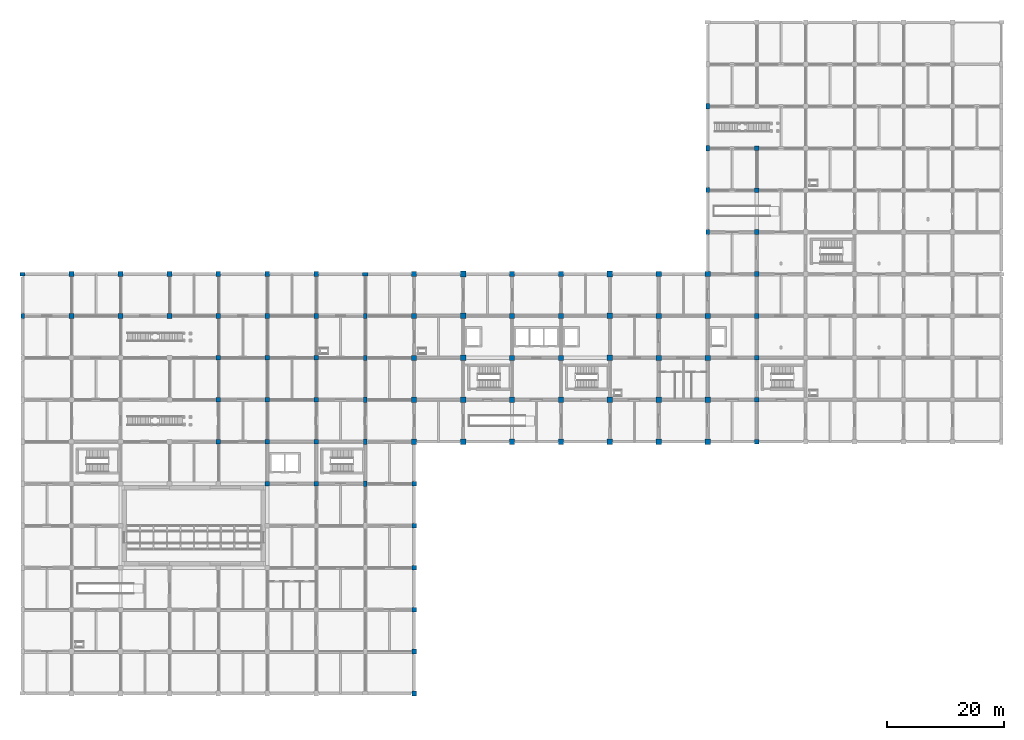
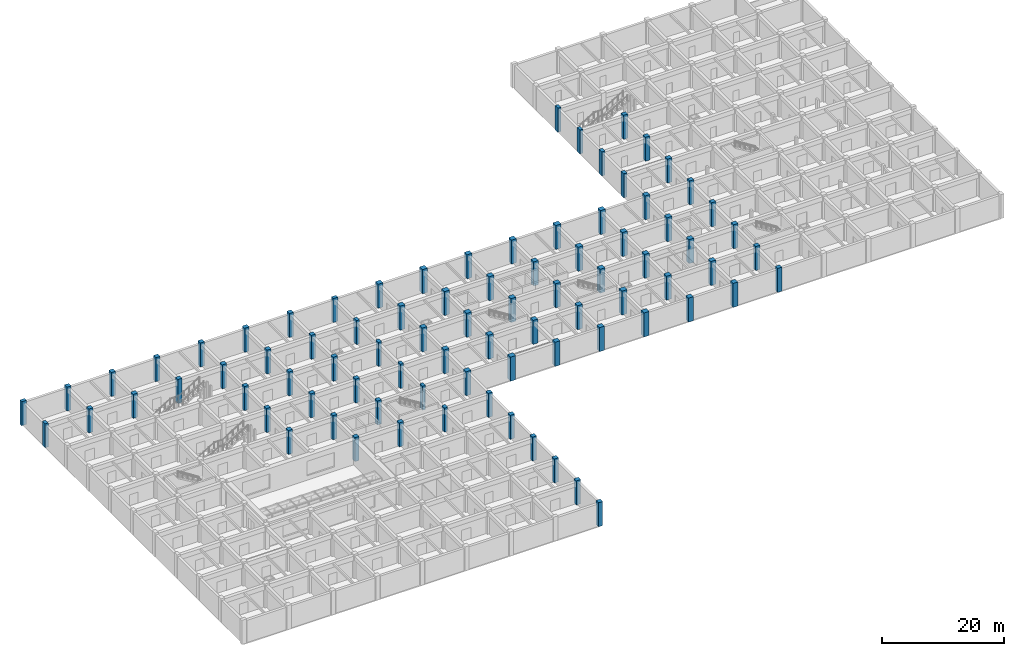
# One storey, part 3 of 32: 84 columns.
"""IFC4 building model written with IfcOpenShell, lengths in metres."""

from ifc_helpers import new_model, si_unit, derived_unit, direction, frame, origin, origin_2d, place, context, subcontext, project, spatial, rectangle, extrude, material, material_profile, profile_set, type_object, element, save


model = new_model("IFC4")

# Units and contexts
model_context = context("Model", 3, precision=1e-05, world=origin(), true_north=direction((0.0, 1.0)))
body_context = subcontext(model_context, "Body", "Model", "MODEL_VIEW")
ifc_project = project(units=[si_unit("LENGTHUNIT", "METRE"), si_unit("AREAUNIT", "SQUARE_METRE"), si_unit("VOLUMEUNIT", "CUBIC_METRE"), si_unit("PLANEANGLEUNIT", "RADIAN"), si_unit("MASSUNIT", "GRAM", prefix="KILO"), derived_unit("THERMALTRANSMITTANCEUNIT", [(si_unit("MASSUNIT", "GRAM", prefix="KILO"), 1), (si_unit("TIMEUNIT", "SECOND"), -3), (si_unit("THERMODYNAMICTEMPERATUREUNIT", "KELVIN"), -1)])], contexts=[model_context])

# Site, building, storey
site_placement = place(None, origin())
site = spatial("IfcSite", under=ifc_project, at=site_placement, CompositionType="ELEMENT")
building_placement = place(site_placement, origin())
building = spatial("IfcBuilding", under=site, at=building_placement, Name="Veldstrom Oceanarium and Marine Research Institute", CompositionType="ELEMENT")
storey_placement = place(building_placement, frame((0.0, 0.0, -4.800048828125)))
storey = spatial("IfcBuildingStorey", under=building, at=storey_placement, Name="B01", CompositionType="ELEMENT", Elevation=-4.800048828125)

# Columns
ifc_material_1 = material(Name="Concrete C50/60", Category="concrete")
ifc_material_profile_1 = material_profile(ifc_material_1, rectangle(XDim=0.949951171875, YDim=0.949951171875, at=origin_2d()), Name="RC-COL-950x950")
ifc_profile_set_1 = profile_set([ifc_material_profile_1], Name="Concrete C50/60")
column_type_1 = type_object("IfcColumnType", Name="STR-COL-C01", PredefinedType="COLUMN", material=ifc_profile_set_1)
for number, where, z_axis, x_axis, name in (
    (1, (75.60009765625, 43.199951171875, 0.0), (0.0, 0.0, 1.0), (1.0, 0.0, 0.0), "Column C01 10/G B01"),
    (2, (75.60009765625, 50.39990234375, 0.0), (0.0, 0.0, 1.0), (1.0, 0.0, 0.0), "Column C01 10/H B01"),
    (3, (75.60009765625, 57.60009765625, 0.0), (0.0, 0.0, 1.0), (1.0, 0.0, 0.0), "Column C01 10/J B01"),
    (4, (75.60009765625, 64.800048828125, 0.0), (0.0, 0.0, 1.0), (1.0, 0.0, 0.0), "Column C01 10/K B01"),
    (5, (75.60009765625, 72.0, 0.0), (0.0, 0.0, 1.0), (1.0, 0.0, 0.0), "Column C01 10/L B01"),
    (6, (100.800048828125, 43.199951171875, 0.0), (0.0, 0.0, 1.0), (1.0, 0.0, 0.0), "Column C01 13/G B01"),
    (7, (100.800048828125, 50.39990234375, 0.0), (0.0, 0.0, 1.0), (1.0, 0.0, 0.0), "Column C01 13/H B01"),
    (8, (100.800048828125, 57.60009765625, 0.0), (0.0, 0.0, 1.0), (1.0, 0.0, 0.0), "Column C01 13/J B01"),
    (9, (100.800048828125, 64.800048828125, 0.0), (0.0, 0.0, 1.0), (1.0, 0.0, 0.0), "Column C01 13/K B01"),
    (10, (100.800048828125, 72.0, 0.0), (0.0, 0.0, 1.0), (1.0, 0.0, 0.0), "Column C01 13/L B01"),
):
    element("IfcColumn", number, at=place(storey_placement, frame(where, z_axis=z_axis, x_axis=x_axis)), inside=storey, type_object=column_type_1, Name=name, PredefinedType="COLUMN", context=body_context, shape_type="SweptSolid", body=[
        extrude(rectangle(XDim=0.949951171875, YDim=0.949951171875, at=origin_2d()), origin(), (0.0, 0.0, 1.0), 4.800048828125),
    ])
ifc_material_2 = material(Name="Concrete C50/60", Category="concrete")
ifc_material_profile_2 = material_profile(ifc_material_2, rectangle(XDim=0.89990234375, YDim=0.89990234375, at=origin_2d()), Name="RC-COL-900x900")
ifc_profile_set_2 = profile_set([ifc_material_profile_2], Name="Concrete C50/60")
column_type_2 = type_object("IfcColumnType", Name="STR-COL-C02", PredefinedType="COLUMN", material=ifc_profile_set_2)
for number, where, z_axis, x_axis, name in (
    (11, (67.199951171875, 43.199951171875, 0.0), (0.0, 0.0, 1.0), (1.0, 0.0, 0.0), "Column C02 9/G B01"),
    (12, (67.199951171875, 50.39990234375, 0.0), (0.0, 0.0, 1.0), (1.0, 0.0, 0.0), "Column C02 9/H B01"),
    (13, (67.199951171875, 57.60009765625, 0.0), (0.0, 0.0, 1.0), (1.0, 0.0, 0.0), "Column C02 9/J B01"),
    (14, (67.199951171875, 64.800048828125, 0.0), (0.0, 0.0, 1.0), (1.0, 0.0, 0.0), "Column C02 9/K B01"),
    (15, (67.199951171875, 72.0, 0.0), (0.0, 0.0, 1.0), (1.0, 0.0, 0.0), "Column C02 9/L B01"),
    (16, (84.0, 43.199951171875, 0.0), (0.0, 0.0, 1.0), (1.0, 0.0, 0.0), "Column C02 11/G B01"),
    (17, (84.0, 50.39990234375, 0.0), (0.0, 0.0, 1.0), (1.0, 0.0, 0.0), "Column C02 11/H B01"),
    (18, (84.0, 57.60009765625, 0.0), (0.0, 0.0, 1.0), (1.0, 0.0, 0.0), "Column C02 11/J B01"),
    (19, (84.0, 64.800048828125, 0.0), (0.0, 0.0, 1.0), (1.0, 0.0, 0.0), "Column C02 11/K B01"),
    (20, (84.0, 72.0, 0.0), (0.0, 0.0, 1.0), (1.0, 0.0, 0.0), "Column C02 11/L B01"),
    (21, (92.39990234375, 43.199951171875, 0.0), (0.0, 0.0, 1.0), (1.0, 0.0, 0.0), "Column C02 12/G B01"),
    (22, (92.39990234375, 50.39990234375, 0.0), (0.0, 0.0, 1.0), (1.0, 0.0, 0.0), "Column C02 12/H B01"),
    (23, (92.39990234375, 57.60009765625, 0.0), (0.0, 0.0, 1.0), (1.0, 0.0, 0.0), "Column C02 12/J B01"),
    (24, (92.39990234375, 64.800048828125, 0.0), (0.0, 0.0, 1.0), (1.0, 0.0, 0.0), "Column C02 12/K B01"),
    (25, (92.39990234375, 72.0, 0.0), (0.0, 0.0, 1.0), (1.0, 0.0, 0.0), "Column C02 12/L B01"),
    (26, (109.199951171875, 43.199951171875, 0.0), (0.0, 0.0, 1.0), (1.0, 0.0, 0.0), "Column C02 14/G B01"),
    (27, (109.199951171875, 50.39990234375, 0.0), (0.0, 0.0, 1.0), (1.0, 0.0, 0.0), "Column C02 14/H B01"),
    (28, (109.199951171875, 57.60009765625, 0.0), (0.0, 0.0, 1.0), (1.0, 0.0, 0.0), "Column C02 14/J B01"),
    (29, (109.199951171875, 64.800048828125, 0.0), (0.0, 0.0, 1.0), (1.0, 0.0, 0.0), "Column C02 14/K B01"),
    (30, (109.199951171875, 72.0, 0.0), (0.0, 0.0, 1.0), (1.0, 0.0, 0.0), "Column C02 14/L B01"),
    (31, (117.60009765625, 43.199951171875, 0.0), (0.0, 0.0, 1.0), (1.0, 0.0, 0.0), "Column C02 15/G B01"),
    (32, (117.60009765625, 50.39990234375, 0.0), (0.0, 0.0, 1.0), (1.0, 0.0, 0.0), "Column C02 15/H B01"),
    (33, (117.60009765625, 57.60009765625, 0.0), (0.0, 0.0, 1.0), (1.0, 0.0, 0.0), "Column C02 15/J B01"),
    (34, (117.60009765625, 64.800048828125, 0.0), (0.0, 0.0, 1.0), (1.0, 0.0, 0.0), "Column C02 15/K B01"),
    (35, (117.60009765625, 72.0, 0.0), (0.0, 0.0, 1.0), (1.0, 0.0, 0.0), "Column C02 15/L B01"),
):
    element("IfcColumn", number, at=place(storey_placement, frame(where, z_axis=z_axis, x_axis=x_axis)), inside=storey, type_object=column_type_2, Name=name, PredefinedType="COLUMN", context=body_context, shape_type="SweptSolid", body=[
        extrude(rectangle(XDim=0.89990234375, YDim=0.89990234375, at=origin_2d()), origin(), (0.0, 0.0, 1.0), 4.800048828125),
    ])
ifc_material_3 = material(Name="Concrete C50/60", Category="concrete")
ifc_material_profile_3 = material_profile(ifc_material_3, rectangle(XDim=0.800048828125, YDim=0.800048828125, at=origin_2d()), Name="RC-COL-800x800")
ifc_profile_set_3 = profile_set([ifc_material_profile_3], Name="Concrete C50/60")
column_type_3 = type_object("IfcColumnType", Name="STR-COL-C04", PredefinedType="COLUMN", material=ifc_profile_set_3)
for number, where, z_axis, x_axis, name in (
    (36, (8.39990234375, 64.800048828125, 0.0), (0.0, 0.0, 1.0), (1.0, 0.0, 0.0), "Column C04 2/K B01"),
    (37, (8.39990234375, 72.0, 0.0), (0.0, 0.0, 1.0), (1.0, 0.0, 0.0), "Column C04 2/L B01"),
    (38, (16.800048828125, 64.800048828125, 0.0), (0.0, 0.0, 1.0), (1.0, 0.0, 0.0), "Column C04 3/K B01"),
    (39, (16.800048828125, 72.0, 0.0), (0.0, 0.0, 1.0), (1.0, 0.0, 0.0), "Column C04 3/L B01"),
    (40, (25.199951171875, 64.800048828125, 0.0), (0.0, 0.0, 1.0), (1.0, 0.0, 0.0), "Column C04 4/K B01"),
    (41, (25.199951171875, 72.0, 0.0), (0.0, 0.0, 1.0), (1.0, 0.0, 0.0), "Column C04 4/L B01"),
    (42, (33.60009765625, 43.199951171875, 0.0), (0.0, 0.0, 1.0), (1.0, 0.0, 0.0), "Column C04 5/G B01"),
    (43, (33.60009765625, 50.39990234375, 0.0), (0.0, 0.0, 1.0), (1.0, 0.0, 0.0), "Column C04 5/H B01"),
    (44, (33.60009765625, 57.60009765625, 0.0), (0.0, 0.0, 1.0), (1.0, 0.0, 0.0), "Column C04 5/J B01"),
    (45, (33.60009765625, 64.800048828125, 0.0), (0.0, 0.0, 1.0), (1.0, 0.0, 0.0), "Column C04 5/K B01"),
    (46, (33.60009765625, 72.0, 0.0), (0.0, 0.0, 1.0), (1.0, 0.0, 0.0), "Column C04 5/L B01"),
    (47, (42.0, 36.0, 0.0), (0.0, 0.0, 1.0), (1.0, 0.0, 0.0), "Column C04 6/F B01"),
    (48, (42.0, 43.199951171875, 0.0), (0.0, 0.0, 1.0), (1.0, 0.0, 0.0), "Column C04 6/G B01"),
    (49, (42.0, 50.39990234375, 0.0), (0.0, 0.0, 1.0), (1.0, 0.0, 0.0), "Column C04 6/H B01"),
    (50, (42.0, 57.60009765625, 0.0), (0.0, 0.0, 1.0), (1.0, 0.0, 0.0), "Column C04 6/J B01"),
    (51, (42.0, 64.800048828125, 0.0), (0.0, 0.0, 1.0), (1.0, 0.0, 0.0), "Column C04 6/K B01"),
    (52, (42.0, 72.0, 0.0), (0.0, 0.0, 1.0), (1.0, 0.0, 0.0), "Column C04 6/L B01"),
    (53, (50.39990234375, 36.0, 0.0), (0.0, 0.0, 1.0), (1.0, 0.0, 0.0), "Column C04 7/F B01"),
    (54, (50.39990234375, 43.199951171875, 0.0), (0.0, 0.0, 1.0), (1.0, 0.0, 0.0), "Column C04 7/G B01"),
    (55, (50.39990234375, 50.39990234375, 0.0), (0.0, 0.0, 1.0), (1.0, 0.0, 0.0), "Column C04 7/H B01"),
    (56, (50.39990234375, 57.60009765625, 0.0), (0.0, 0.0, 1.0), (1.0, 0.0, 0.0), "Column C04 7/J B01"),
    (57, (50.39990234375, 64.800048828125, 0.0), (0.0, 0.0, 1.0), (1.0, 0.0, 0.0), "Column C04 7/K B01"),
    (58, (50.39990234375, 72.0, 0.0), (0.0, 0.0, 1.0), (1.0, 0.0, 0.0), "Column C04 7/L B01"),
    (59, (67.199951171875, 0.0, 0.0), (0.0, 0.0, 1.0), (1.0, 0.0, 0.0), "Column C04 9/A B01"),
    (60, (67.199951171875, 7.199951171875, 0.0), (0.0, 0.0, 1.0), (1.0, 0.0, 0.0), "Column C04 9/B B01"),
    (61, (67.199951171875, 14.39990234375, 0.0), (0.0, 0.0, 1.0), (1.0, 0.0, 0.0), "Column C04 9/C B01"),
    (62, (67.199951171875, 21.60009765625, 0.0), (0.0, 0.0, 1.0), (1.0, 0.0, 0.0), "Column C04 9/D B01"),
    (63, (67.199951171875, 28.800048828125, 0.0), (0.0, 0.0, 1.0), (1.0, 0.0, 0.0), "Column C04 9/E B01"),
    (64, (67.199951171875, 36.0, 0.0), (0.0, 0.0, 1.0), (1.0, 0.0, 0.0), "Column C04 9/F B01"),
    (65, (126.0, 43.199951171875, 0.0), (0.0, 0.0, 1.0), (1.0, 0.0, 0.0), "Column C04 16/G B01"),
    (66, (126.0, 50.39990234375, 0.0), (0.0, 0.0, 1.0), (1.0, 0.0, 0.0), "Column C04 16/H B01"),
    (67, (126.0, 57.60009765625, 0.0), (0.0, 0.0, 1.0), (1.0, 0.0, 0.0), "Column C04 16/J B01"),
    (68, (126.0, 64.800048828125, 0.0), (0.0, 0.0, 1.0), (1.0, 0.0, 0.0), "Column C04 16/K B01"),
    (69, (126.0, 72.0, 0.0), (0.0, 0.0, 1.0), (1.0, 0.0, 0.0), "Column C04 16/L B01"),
    (70, (126.0, 79.199951171875, 0.0), (0.0, 0.0, 1.0), (1.0, 0.0, 0.0), "Column C04 16/M B01"),
    (71, (126.0, 86.39990234375, 0.0), (0.0, 0.0, 1.0), (1.0, 0.0, 0.0), "Column C04 16/N B01"),
    (72, (126.0, 93.60009765625, 0.0), (0.0, 0.0, 1.0), (1.0, 0.0, 0.0), "Column C04 16/P B01"),
):
    element("IfcColumn", number, at=place(storey_placement, frame(where, z_axis=z_axis, x_axis=x_axis)), inside=storey, type_object=column_type_3, Name=name, PredefinedType="COLUMN", context=body_context, shape_type="SweptSolid", body=[
        extrude(rectangle(XDim=0.800048828125, YDim=0.800048828125, at=origin_2d()), origin(), (0.0, 0.0, 1.0), 4.800048828125),
    ])
ifc_material_4 = material(Name="Concrete C50/60", Category="concrete")
ifc_material_profile_4 = material_profile(ifc_material_4, rectangle(XDim=0.60009765625, YDim=0.89990234375, at=origin_2d()), Name="RC-COL-900x600")
ifc_profile_set_4 = profile_set([ifc_material_profile_4], Name="Concrete C50/60")
column_type_4 = type_object("IfcColumnType", Name="STR-COL-C11", PredefinedType="COLUMN", material=ifc_profile_set_4)
for number, where, z_axis, x_axis, name in (
    (73, (0.0, 64.800048828125, 0.0), (0.0, 0.0, 1.0), (1.0, 0.0, 0.0), "Column C11 1/K B01"),
    (74, (0.0, 72.0, 0.0), (0.0, 0.0, 1.0), (0.0, 1.0, 0.0), "Column C11 1/L B01"),
    (75, (58.800048828125, 36.0, 0.0), (0.0, 0.0, 1.0), (1.0, 0.0, 0.0), "Column C11 8/F B01"),
    (76, (58.800048828125, 43.199951171875, 0.0), (0.0, 0.0, 1.0), (1.0, 0.0, 0.0), "Column C11 8/G B01"),
    (77, (58.800048828125, 50.39990234375, 0.0), (0.0, 0.0, 1.0), (1.0, 0.0, 0.0), "Column C11 8/H B01"),
    (78, (58.800048828125, 57.60009765625, 0.0), (0.0, 0.0, 1.0), (1.0, 0.0, 0.0), "Column C11 8/J B01"),
    (79, (58.800048828125, 64.800048828125, 0.0), (0.0, 0.0, 1.0), (1.0, 0.0, 0.0), "Column C11 8/K B01"),
    (80, (58.800048828125, 72.0, 0.0), (0.0, 0.0, 1.0), (0.0, 1.0, 0.0), "Column C11 8/L B01"),
    (81, (117.60009765625, 79.199951171875, 0.0), (0.0, 0.0, 1.0), (1.0, 0.0, 0.0), "Column C11 15/M B01"),
    (82, (117.60009765625, 86.39990234375, 0.0), (0.0, 0.0, 1.0), (1.0, 0.0, 0.0), "Column C11 15/N B01"),
    (83, (117.60009765625, 93.60009765625, 0.0), (0.0, 0.0, 1.0), (1.0, 0.0, 0.0), "Column C11 15/P B01"),
    (84, (117.60009765625, 100.800048828125, 0.0), (0.0, 0.0, 1.0), (1.0, 0.0, 0.0), "Column C11 15/Q B01"),
):
    element("IfcColumn", number, at=place(storey_placement, frame(where, z_axis=z_axis, x_axis=x_axis)), inside=storey, type_object=column_type_4, Name=name, PredefinedType="COLUMN", context=body_context, shape_type="SweptSolid", body=[
        extrude(rectangle(XDim=0.60009765625, YDim=0.89990234375, at=origin_2d()), origin(), (0.0, 0.0, 1.0), 4.800048828125),
    ])

save(model, "model.ifc")
